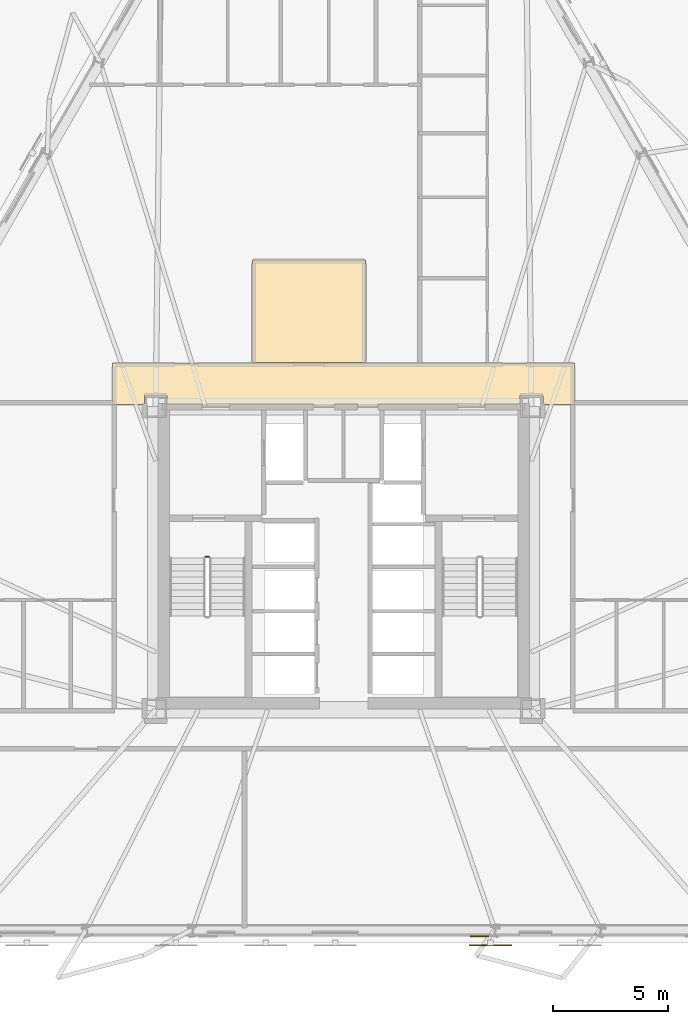
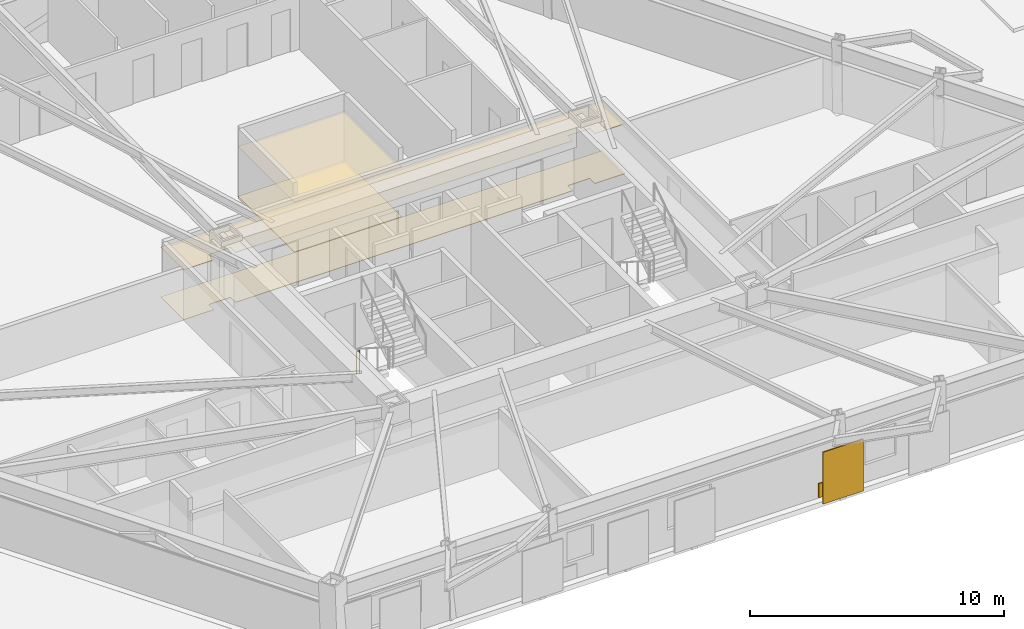
# One storey, part 10 of 14: 5 coverings, 1 railing, 1 shading device.
"""IFC4 building model written with IfcOpenShell, lengths in metres."""

from ifc_helpers import new_model, si_unit, direction, frame, origin, origin_2d, place, context, subcontext, project, spatial, polyline, rectangle, circle, outline, extrude, material, layer, layer_set, type_object, element, save


model = new_model("IFC4")

# Units and contexts
model_context = context("Model", 3, precision=1e-05, world=origin(), true_north=direction((0.0, 1.0)))
body_context = subcontext(model_context, "Body", "Model", "MODEL_VIEW")
ifc_project = project(units=[si_unit("LENGTHUNIT", "METRE"), si_unit("AREAUNIT", "SQUARE_METRE"), si_unit("VOLUMEUNIT", "CUBIC_METRE"), si_unit("PLANEANGLEUNIT", "RADIAN"), si_unit("MASSUNIT", "GRAM", prefix="KILO")], contexts=[model_context])

# Site, building, storey
site_placement = place(None, origin())
site = spatial("IfcSite", under=ifc_project, at=site_placement, CompositionType="ELEMENT")
building_placement = place(site_placement, origin())
building = spatial("IfcBuilding", under=site, at=building_placement, Name="Oramaril Tower", CompositionType="ELEMENT")
storey_placement = place(building_placement, frame((0.0, 0.0, 27.300048828125)))
storey = spatial("IfcBuildingStorey", under=building, at=storey_placement, Name="L06", CompositionType="ELEMENT", Elevation=27.300048828125)

# Coverings
ifc_material_1 = material(Name="Mineral Fibre Acoustic Ceiling")
ifc_layer_1 = layer(ifc_material_1, 0.02001953125)
ifc_layer_set_1 = layer_set([ifc_layer_1], Name="CVT-CEIL")
covering_type_1 = type_object("IfcCoveringType", Name="CVT-CEIL", PredefinedType="CEILING", material=ifc_layer_set_1)
covering_1_placement = place(storey_placement, frame((0.0, 0.0, 2.39990234375)))
element("IfcCovering", 1, at=covering_1_placement, inside=storey, type_object=covering_type_1, Name="L06 Acoustic Suspended Ceiling 2", PredefinedType="CEILING", context=body_context, shape_type="SweptSolid", body=[
    extrude(outline(polyline([(47.530029296875, 24.239990234375), (46.14501953125, 24.239990234375), (46.14501953125, 24.64501953125), (45.155029296875, 24.64501953125), (45.155029296875, 24.25), (29.844970703125, 24.25), (29.844970703125, 24.64501953125), (28.85498046875, 24.64501953125), (28.85498046875, 24.239990234375), (27.469970703125, 24.239990234375), (27.469970703125, 26.050048828125), (47.530029296875, 26.050048828125), (47.530029296875, 24.239990234375)])), origin(), (0.0, 0.0, 1.0), 0.02001953125),
])
covering_2_placement = place(storey_placement, frame((0.0, 0.0, 2.39990234375)))
element("IfcCovering", 2, at=covering_2_placement, inside=storey, type_object=covering_type_1, Name="L06 Acoustic Suspended Ceiling 5", PredefinedType="CEILING", context=body_context, shape_type="SweptSolid", body=[
    extrude(outline(polyline([(38.44189453125, 30.511962890625), (38.44189453125, 26.070068359375), (33.55810546875, 26.070068359375), (33.55810546875, 30.511962890625), (38.44189453125, 30.511962890625)])), origin(), (0.0, 0.0, 1.0), 0.02001953125),
])
ifc_material_2 = material(Name="Warm Cream Limestone", Category="masonry")
ifc_layer_2 = layer(ifc_material_2, 0.050048828125)
ifc_layer_set_2 = layer_set([ifc_layer_2], Name="CVT-CLD")
covering_type_2 = type_object("IfcCoveringType", Name="CVT-CLD", PredefinedType="CLADDING", material=ifc_layer_set_2)
covering_3_placement = place(storey_placement, frame((43.390380859375, 1.1669921875, 0.0400390625), z_axis=(0.0, 0.0, 1.0), x_axis=(1.0, 0.0, 0.0)))
element("IfcCovering", 3, at=covering_3_placement, inside=storey, type_object=covering_type_2, Name="L06 Warm Cream Limestone Spandrel Cladding", PredefinedType="CLADDING", context=body_context, shape_type="SweptSolid", body=[
    extrude(rectangle(XDim=0.800048828125, YDim=0.050048828125, at=origin_2d()), origin(), (0.0, 0.0, 1.0), 0.679931640625),
])
ifc_material_3 = material(Name="Honed Quartzite Stone Flooring", Category="masonry")
ifc_layer_3 = layer(ifc_material_3, 0.02490234375)
ifc_layer_set_3 = layer_set([ifc_layer_3], Name="CVT-FLR")
covering_type_3 = type_object("IfcCoveringType", Name="CVT-FLR", PredefinedType="FLOORING", material=ifc_layer_set_3)
covering_4_placement = place(storey_placement, origin())
element("IfcCovering", 4, at=covering_4_placement, inside=storey, type_object=covering_type_3, Name="L06 Honed Stone Floor Finish 2", PredefinedType="FLOORING", context=body_context, shape_type="SweptSolid", body=[
    extrude(outline(polyline([(47.530029296875, 24.239990234375), (46.14501953125, 24.239990234375), (46.14501953125, 24.64501953125), (45.155029296875, 24.64501953125), (45.155029296875, 24.25), (29.844970703125, 24.25), (29.844970703125, 24.64501953125), (28.85498046875, 24.64501953125), (28.85498046875, 24.239990234375), (27.469970703125, 24.239990234375), (27.469970703125, 26.050048828125), (47.530029296875, 26.050048828125), (47.530029296875, 24.239990234375)])), origin(), (0.0, 0.0, 1.0), 0.02490234375),
])
covering_5_placement = place(storey_placement, origin())
element("IfcCovering", 5, at=covering_5_placement, inside=storey, type_object=covering_type_3, Name="L06 Honed Stone Floor Finish 5", PredefinedType="FLOORING", context=body_context, shape_type="SweptSolid", body=[
    extrude(outline(polyline([(38.44189453125, 30.511962890625), (38.44189453125, 26.070068359375), (33.55810546875, 26.070068359375), (33.55810546875, 30.511962890625), (38.44189453125, 30.511962890625)])), origin(), (0.0, 0.0, 1.0), 0.02490234375),
])

# Railing
ifc_material_4 = material(Name="Stainless Steel 316L", Category="steel")
railing_type = type_object("IfcRailingType", Name="RLT-GRD", PredefinedType="GUARDRAIL", material=ifc_material_4)
railing_placement = place(storey_placement, frame((31.510009765625, 17.639892578125, 0.0)))
element("IfcRailing", 6, at=railing_placement, inside=storey, type_object=railing_type, Name="L06 ST-1 stair guard 4", PredefinedType="GUARDRAIL", context=body_context, shape_type="SweptSolid", body=[
    extrude(circle(Radius=0.02392578125, at=origin_2d()), frame((0.0, 0.0, 1.076171875), z_axis=(1.0, 0.0, 0.0), x_axis=(0.0, 1.0, 0.0)), (0.0, 0.0, 1.0), 0.14990234375),
    extrude(circle(Radius=0.02099609375, at=origin_2d()), origin(), (0.0, 0.0, 1.0), 1.052001953125),
    extrude(circle(Radius=0.02099609375, at=origin_2d()), frame((0.14990234375, 0.0, 0.0)), (0.0, 0.0, 1.0), 1.052001953125),
])

# Shading device
shading_device_placement = place(storey_placement, frame((43.87548828125, 0.780029296875, -0.02001953125), z_axis=(0.0, 0.0, 1.0), x_axis=(1.0, 0.0, 0.0)))
element("IfcShadingDevice", 7, at=shading_device_placement, inside=storey, Name="L06 Perforated Ceramic Solar Screen", ObjectType="SCREEN", PredefinedType="USERDEFINED", context=body_context, shape_type="SweptSolid", body=[
    extrude(rectangle(XDim=1.8330078125, YDim=0.050048828125, at=origin_2d()), origin(), (0.0, 0.0, 1.0), 2.493896484375),
])

save(model, "model.ifc")
